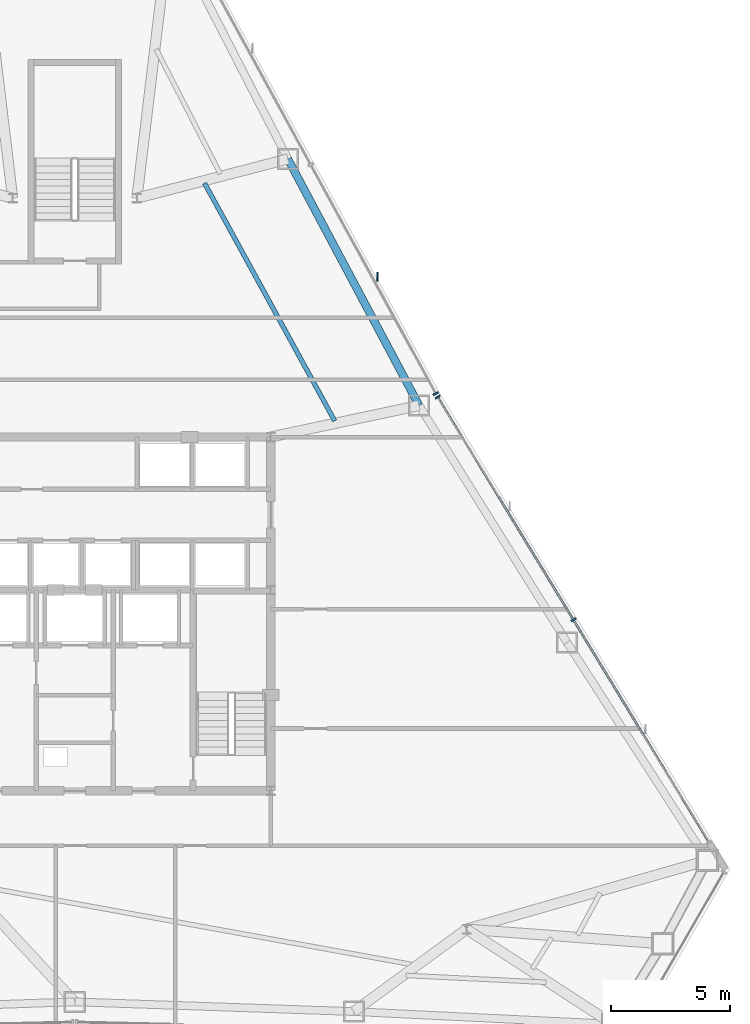
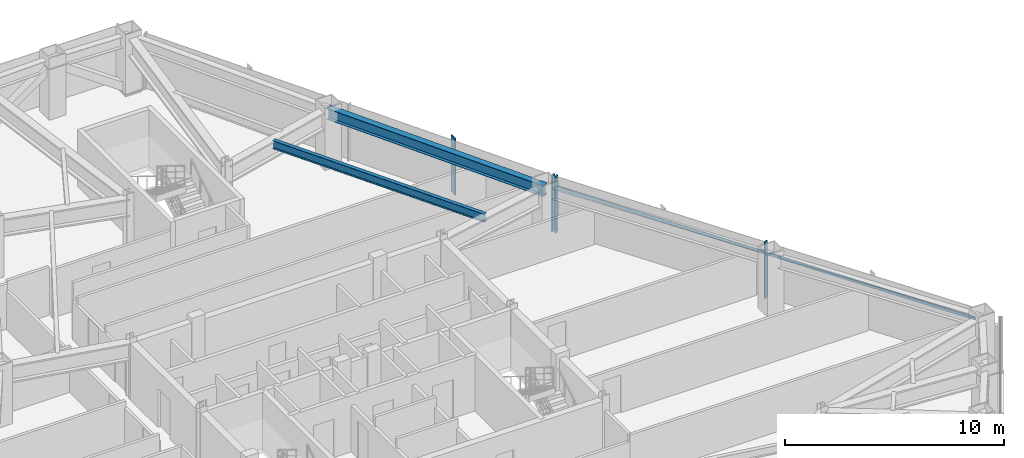
# One storey, part 6 of 12: 5 members, 2 beams, 2 elements without a shape of their own.
"""IFC4 building model written with IfcOpenShell, lengths in metres."""

from ifc_helpers import new_model, si_unit, direction, frame, origin, origin_2d, place, context, subcontext, project, spatial, rectangle, i_section, extrude, source, transform, mapped, material, layer, layer_set, material_profile, profile_set, type_object, type_shapes, element, aggregate, save


model = new_model("IFC4")

# Units and contexts
model_context = context("Model", 3, precision=1e-05, world=origin(), true_north=direction((0.0, 1.0)))
body_context = subcontext(model_context, "Body", "Model", "MODEL_VIEW")
ifc_project = project(units=[si_unit("LENGTHUNIT", "METRE"), si_unit("AREAUNIT", "SQUARE_METRE"), si_unit("VOLUMEUNIT", "CUBIC_METRE"), si_unit("PLANEANGLEUNIT", "RADIAN"), si_unit("MASSUNIT", "GRAM", prefix="KILO")], contexts=[model_context])

# Site, building, storey
site_placement = place(None, origin())
site = spatial("IfcSite", under=ifc_project, at=site_placement, CompositionType="ELEMENT")
building_placement = place(site_placement, origin())
building = spatial("IfcBuilding", under=site, at=building_placement, Name="Varakhsha Concourse Tower", CompositionType="ELEMENT")
storey_placement = place(building_placement, frame((0.0, 0.0, 153.949951171875)))
storey = spatial("IfcBuildingStorey", under=building, at=storey_placement, Name="L44", CompositionType="ELEMENT", Elevation=153.949951171875)

# Beams
ifc_material_1 = material(Name="Structural Steel ASTM A992 Grade 50", Category="steel")
ifc_material_profile_1 = material_profile(ifc_material_1, i_section(OverallWidth=0.19091796875, OverallDepth=0.45703125, WebThickness=0.009033203125, FlangeThickness=0.013916015625, at=origin_2d()), Name="W18X50")
ifc_profile_set_1 = profile_set([ifc_material_profile_1], Name="Structural Steel ASTM A992 Grade 50")
beam_type_1 = type_object("IfcBeamType", Name="BM-JST-W18X50", PredefinedType="JOIST", material=ifc_profile_set_1)
beam_1_placement = place(storey_placement, frame((50.880615234375, 31.877685546875, 2.921630859375), z_axis=(-0.480210522134, 0.877153267355, 0.0), x_axis=(-0.877153267355, -0.480210522134, 0.0)))
element("IfcBeam", 1, at=beam_1_placement, inside=storey, type_object=beam_type_1, Name="BM-TJST-L44-17", PredefinedType="JOIST", context=body_context, shape_type="SweptSolid", body=[
    extrude(i_section(OverallWidth=0.19091796875, OverallDepth=0.45703125, WebThickness=0.009033203125, FlangeThickness=0.013916015625, at=origin_2d()), origin(), (0.0, 0.0, 1.0), 11.341064453125),
])
ifc_material_profile_2 = material_profile(ifc_material_1, i_section(OverallWidth=0.323974609375, OverallDepth=0.611083984375, WebThickness=0.012939453125, FlangeThickness=0.01904296875, at=origin_2d()), Name="W24X104")
ifc_profile_set_2 = profile_set([ifc_material_profile_2], Name="Structural Steel ASTM A992 Grade 50")
beam_type_2 = type_object("IfcBeamType", Name="BM-SPAN-W24X104", PredefinedType="SPANDREL", material=ifc_profile_set_2)
beam_2_placement = place(storey_placement, frame((54.412353515625, 32.52099609375, 2.844482421875), z_axis=(-0.469677397523, 0.882838117809, 0.0), x_axis=(-0.882838117809, -0.469677397523, 0.0)))
element("IfcBeam", 2, at=beam_2_placement, inside=storey, type_object=beam_type_2, Name="BM-SPAN-L44-17", PredefinedType="SPANDREL", context=body_context, shape_type="SweptSolid", body=[
    extrude(i_section(OverallWidth=0.323974609375, OverallDepth=0.611083984375, WebThickness=0.012939453125, FlangeThickness=0.01904296875, at=origin_2d()), origin(), (0.0, 0.0, 1.0), 11.689453125),
])

# Curtain wall, members
ifc_material_2 = material(Name="Anodised Bronze Architectural Aluminium AA 6063-T6", Category="aluminium")
ifc_layer = layer(ifc_material_2, 0.2099609375, Name="CW-SYS-04")
ifc_layer_set = layer_set([ifc_layer], Name="Anodised Bronze Architectural Aluminium AA 6063-T6")
curtain_wall_type = type_object("IfcCurtainWallType", Name="CW-SYS-04", PredefinedType="NOTDEFINED", material=ifc_layer_set)
curtain_wall_1_placement = place(storey_placement, origin())
curtain_wall_1 = element("IfcCurtainWall", 3, at=curtain_wall_1_placement, inside=storey, type_object=curtain_wall_type, Name="L44 Crystal Curtain Wall F8", PredefinedType="NOTDEFINED")
ifc_material_profile_3 = material_profile(ifc_material_2, rectangle(XDim=0.06494140625, YDim=0.159912109375, at=origin_2d()), Name="CWT-160X65")
ifc_profile_set_3 = profile_set([ifc_material_profile_3], Name="Anodised Bronze Architectural Aluminium AA 6063-T6")
member_type_1 = type_object("IfcMemberType", Name="CWT-160X65", PredefinedType="USERDEFINED", material=ifc_profile_set_3)
shared_shape_1 = source(origin(), body_context, "Body", "SweptSolid", [
    extrude(rectangle(XDim=0.06494140625, YDim=0.159912109375, at=origin_2d()), origin(), (0.0, 0.0, 1.0), 21.829833984375),
])
type_shapes(member_type_1, [shared_shape_1])
member_1_placement = place(storey_placement, frame((55.19384765625, 32.87548828125, 2.5), z_axis=(0.520127527533, -0.854088610803, 0.0), x_axis=(0.854088610803, 0.520127527533, 0.0)))
member_1 = element("IfcMember", 4, at=member_1_placement, type_object=member_type_1, Name="CW-L44-F8 Transom 01", ObjectType="TRANSOM", PredefinedType="USERDEFINED", context=body_context, shape_type="MappedRepresentation", body=[
    mapped(shared_shape_1, transform((0.0, 0.0, 0.0), scale=1.0)),
])
ifc_material_profile_4 = material_profile(ifc_material_2, rectangle(XDim=0.074951171875, YDim=0.219970703125, at=origin_2d()), Name="CWM-220X75")
ifc_profile_set_4 = profile_set([ifc_material_profile_4], Name="Anodised Bronze Architectural Aluminium AA 6063-T6")
member_type_2 = type_object("IfcMemberType", Name="CWM-220X75", PredefinedType="MULLION", material=ifc_profile_set_4)
shared_shape_2 = source(origin(), body_context, "Body", "SweptSolid", [
    extrude(rectangle(XDim=0.074951171875, YDim=0.219970703125, at=origin_2d()), origin(), (0.0, 0.0, 1.0), 3.150146484375),
])
type_shapes(member_type_2, [shared_shape_2])
member_2_placement = place(storey_placement, frame((55.19384765625, 32.87548828125, 0.0), z_axis=(0.0, 0.0, 1.0), x_axis=(0.520125944735, -0.854089574701, 0.0)))
member_2 = element("IfcMember", 5, at=member_2_placement, type_object=member_type_2, Name="CW-L44-F8 Mullion 00", PredefinedType="MULLION", context=body_context, shape_type="MappedRepresentation", body=[
    mapped(shared_shape_2, transform((0.0, 0.0, 0.0), scale=1.0)),
])
member_3_placement = place(storey_placement, frame((60.870849609375, 23.55322265625, 0.0), z_axis=(0.0, 0.0, 1.0), x_axis=(0.520125944735, -0.854089574701, 0.0)))
member_3 = element("IfcMember", 6, at=member_3_placement, type_object=member_type_2, Name="CW-L44-F8 Mullion 01", PredefinedType="MULLION", context=body_context, shape_type="MappedRepresentation", body=[
    mapped(shared_shape_2, transform((0.0, 0.0, 0.0), scale=1.0)),
])
aggregate(curtain_wall_1, [member_2, member_3, member_1])

curtain_wall_2_placement = place(storey_placement, origin())
curtain_wall_2 = element("IfcCurtainWall", 7, at=curtain_wall_2_placement, inside=storey, type_object=curtain_wall_type, Name="L44 Crystal Curtain Wall F9", PredefinedType="NOTDEFINED")
member_4_placement = place(storey_placement, frame((55.110107421875, 33.0205078125, 0.0), z_axis=(0.0, 0.0, 1.0), x_axis=(0.479595701913, -0.877489579828, 0.0)))
member_4 = element("IfcMember", 8, at=member_4_placement, type_object=member_type_2, Name="CW-L44-F9 Mullion 02", PredefinedType="MULLION", context=body_context, shape_type="MappedRepresentation", body=[
    mapped(shared_shape_2, transform((0.0, 0.0, 0.0), scale=1.0)),
])
ifc_material_profile_5 = material_profile(ifc_material_2, rectangle(XDim=0.06005859375, YDim=0.3798828125, at=origin_2d()), Name="FIN-BRZ-380")
ifc_profile_set_5 = profile_set([ifc_material_profile_5], Name="Anodised Bronze Architectural Aluminium AA 6063-T6")
member_type_3 = type_object("IfcMemberType", Name="FIN-BRZ-380", PredefinedType="USERDEFINED", material=ifc_profile_set_5)
shared_shape_3 = source(origin(), body_context, "Body", "SweptSolid", [
    extrude(rectangle(XDim=0.06005859375, YDim=0.3798828125, at=origin_2d()), origin(), (0.0, 0.0, 1.0), 3.150146484375),
])
type_shapes(member_type_3, [shared_shape_3])
member_5_placement = place(storey_placement, frame((52.672607421875, 37.90771484375, 0.0), z_axis=(0.0, 0.0, 1.0), x_axis=(1.0, 0.0, 0.0)))
member_5 = element("IfcMember", 9, at=member_5_placement, type_object=member_type_3, Name="L44 Anodised Bronze Solar Fin F9-2", ObjectType="SOLAR FIN", PredefinedType="USERDEFINED", context=body_context, shape_type="MappedRepresentation", body=[
    mapped(shared_shape_3, transform((0.0, 0.0, 0.0), scale=1.0)),
])
aggregate(curtain_wall_2, [member_4, member_5])

save(model, "model.ifc")
